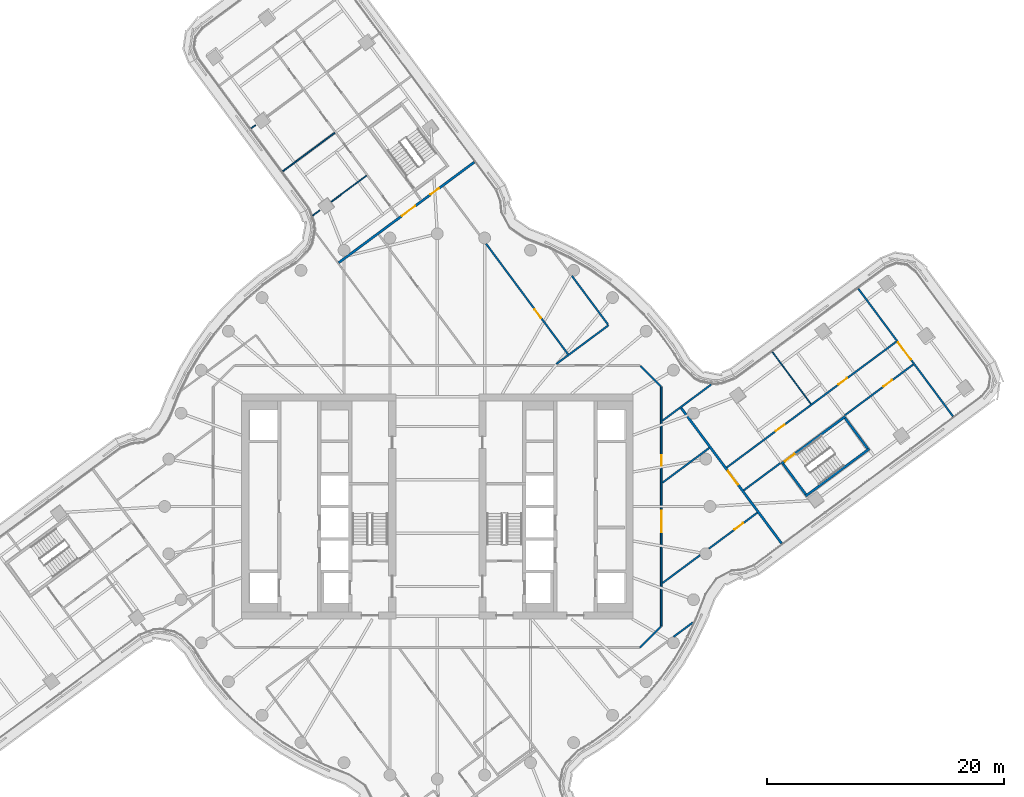
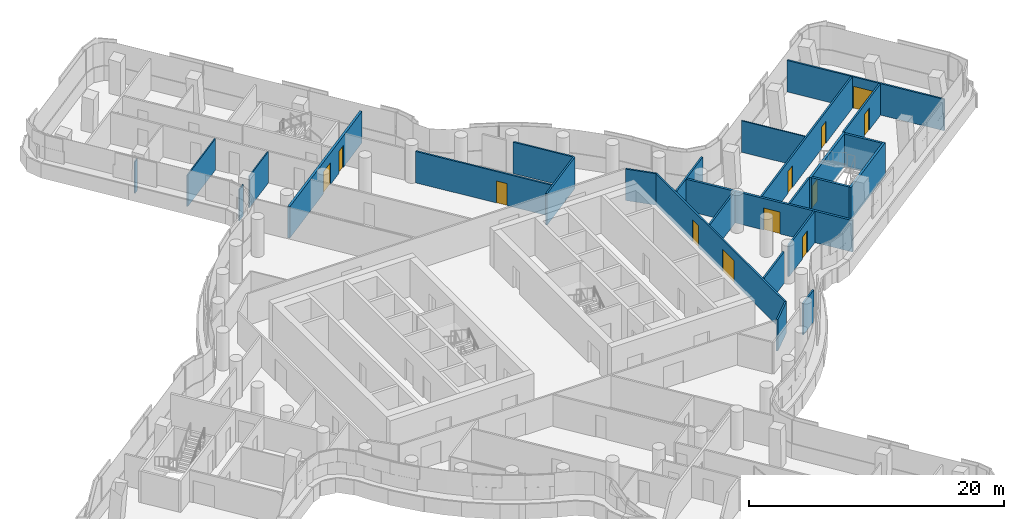
# One storey, part 23 of 32: 26 walls, 12 doors, 12 openings.
"""IFC4 building model written with IfcOpenShell, lengths in metres."""

from ifc_helpers import new_model, si_unit, direction, frame, frame_2d, origin, place, context, subcontext, project, spatial, polyline, rectangle, outline, extrude, material, layer, layer_set, type_object, element, fill, save


model = new_model("IFC4")

# Units and contexts
model_context = context("Model", 3, precision=1e-05, world=origin(), true_north=direction((0.0, 1.0)))
body_context = subcontext(model_context, "Body", "Model", "MODEL_VIEW")
ifc_project = project(units=[si_unit("LENGTHUNIT", "METRE"), si_unit("AREAUNIT", "SQUARE_METRE"), si_unit("VOLUMEUNIT", "CUBIC_METRE"), si_unit("PLANEANGLEUNIT", "RADIAN"), si_unit("MASSUNIT", "GRAM", prefix="KILO")], contexts=[model_context])

# Site, building, storey
site_placement = place(None, origin())
site = spatial("IfcSite", under=ifc_project, at=site_placement, CompositionType="ELEMENT")
building_placement = place(site_placement, origin())
building = spatial("IfcBuilding", under=site, at=building_placement, Name="Tamarind Cross Interchange Tower", CompositionType="ELEMENT")
storey_placement = place(building_placement, frame((0.0, 0.0, 166.75)))
storey = spatial("IfcBuildingStorey", under=building, at=storey_placement, Name="L41", CompositionType="ELEMENT", Elevation=166.75)

# Walls
ifc_material_1 = material(Name="Gypsum board partition on steel studs", Category="steel")
ifc_layer_1 = layer(ifc_material_1, 0.10009765625)
ifc_layer_set_1 = layer_set([ifc_layer_1], Name="Gypsum board partition on steel studs")
wall_type_1 = type_object("IfcWallType", Name="Partition 100 mm EI 90", PredefinedType="PARTITIONING", material=ifc_layer_set_1)
wall_1_placement = place(storey_placement, frame((28.271484375, 13.029296875, 0.0), z_axis=(0.0, 0.0, 1.0), x_axis=(0.595815250958, -0.803121526748, 0.0)))
element("IfcWall", 1, at=wall_1_placement, inside=storey, type_object=wall_type_1, Name="Partition L41-029", PredefinedType="PARTITIONING", context=body_context, shape_type="SweptSolid", body=[
    extrude(rectangle(XDim=5.45263671875, YDim=0.10009765625, at=frame_2d((2.726318359375, 0.0))), origin(), (0.0, 0.0, 1.0), 3.010009765625),
])
wall_2_placement = place(storey_placement, frame((-15.701904296875, 31.892822265625, 0.0), z_axis=(0.0, 0.0, 1.0), x_axis=(0.803197071816, 0.595713407459, 0.0)))
element("IfcWall", 2, at=wall_2_placement, inside=storey, type_object=wall_type_1, Name="Partition L41-044", PredefinedType="PARTITIONING", context=body_context, shape_type="SweptSolid", body=[
    extrude(rectangle(XDim=0.45654296875, YDim=0.10009765625, at=frame_2d((0.228271484375, 0.0))), origin(), (0.0, 0.0, 1.0), 3.010009765625),
])
wall_3_placement = place(storey_placement, frame((-13.029296875, 28.271484375, 0.0), z_axis=(0.0, 0.0, 1.0), x_axis=(0.803121526748, 0.595815250958, 0.0)))
element("IfcWall", 3, at=wall_3_placement, inside=storey, type_object=wall_type_1, Name="Partition L41-049", PredefinedType="PARTITIONING", context=body_context, shape_type="SweptSolid", body=[
    extrude(rectangle(XDim=5.45263671875, YDim=0.10009765625, at=frame_2d((2.726318359375, 0.0))), origin(), (0.0, 0.0, 1.0), 3.010009765625),
])
wall_4_placement = place(storey_placement, frame((-10.507080078125, 24.54052734375, 0.0), z_axis=(0.0, 0.0, 1.0), x_axis=(0.802971840977, 0.596016965025, 0.0)))
element("IfcWall", 4, at=wall_4_placement, inside=storey, type_object=wall_type_1, Name="Partition L41-051", PredefinedType="PARTITIONING", context=body_context, shape_type="SweptSolid", body=[
    extrude(rectangle(XDim=0.746826171875, YDim=0.10009765625, at=frame_2d((0.37353515625, 0.0))), origin(), (0.0, 0.0, 1.0), 3.010009765625),
])
wall_5_placement = place(storey_placement, frame((-8.950439453125, 25.695068359375, 0.0), z_axis=(0.0, 0.0, 1.0), x_axis=(0.803185337767, 0.595729228086, 0.0)))
element("IfcWall", 5, at=wall_5_placement, inside=storey, type_object=wall_type_1, Name="Partition L41-052", PredefinedType="PARTITIONING", context=body_context, shape_type="SweptSolid", body=[
    extrude(rectangle(XDim=3.711669921875, YDim=0.10009765625, at=frame_2d((1.85595703125, 0.0))), origin(), (0.0, 0.0, 1.0), 3.010009765625),
])

# Wall, opening, door
ifc_layer_2 = layer(ifc_material_1, 0.14990234375)
ifc_layer_set_2 = layer_set([ifc_layer_2], Name="Gypsum board partition on steel studs")
wall_type_2 = type_object("IfcWallType", Name="Partition 150 mm EI 120", PredefinedType="PARTITIONING", material=ifc_layer_set_2)
wall_6_placement = place(storey_placement, frame((4.107177734375, 22.1708984375, 0.0), z_axis=(0.0, 0.0, 1.0), x_axis=(0.59578611064, -0.803143144382, 0.0)))
wall_6 = element("IfcWall", 6, at=wall_6_placement, inside=storey, type_object=wall_type_2, Name="Partition L41-019", PredefinedType="PARTITIONING", context=body_context, shape_type="SweptSolid", body=[
    extrude(rectangle(XDim=11.6103515625, YDim=0.14990234375, at=frame_2d((5.80517578125, 0.0))), origin(), (0.0, 0.0, 1.0), 3.010009765625),
])
opening_1_placement = place(wall_6_placement, frame((6.89990234375, 0.0, 0.0)))
opening_1 = element("IfcOpeningElement", 7, at=opening_1_placement, cuts=wall_6, Name="Opening D14", PredefinedType="OPENING", context=body_context, shape_type="SweptSolid", body=[
    extrude(rectangle(XDim=0.89990234375, YDim=2.10009765625, at=frame_2d((0.449951171875, 1.050048828125))), frame((0.0, 0.0849609375, 0.0), z_axis=(0.0, -1.0, 0.0), x_axis=(1.0, 0.0, 0.0)), (0.0, 0.0, 1.0), 0.169921875),
])
ifc_material_2 = material(Name="Fire-resisting door set")
door_type_1 = type_object("IfcDoorType", Name="Interior door 900 x 2100 FD60S", OperationType="SINGLE_SWING_LEFT", PredefinedType="DOOR", material=ifc_material_2)
door_1_placement = place(opening_1_placement, origin())
door_1 = element("IfcDoor", 8, at=door_1_placement, inside=storey, type_object=door_type_1, Name="Door D14", OperationType="SINGLE_SWING_LEFT", OverallHeight=2.10009765625, OverallWidth=0.89990234375, PredefinedType="DOOR", context=body_context, shape_type="SweptSolid", body=[
    extrude(rectangle(XDim=0.89990234375, YDim=2.10009765625, at=frame_2d((0.449951171875, 1.050048828125))), frame((0.0, 0.02490234375, 0.0), z_axis=(0.0, -1.0, 0.0), x_axis=(1.0, 0.0, 0.0)), (0.0, 0.0, 1.0), 0.050048828125),
])
fill(opening_1, door_1)

# Wall
wall_7_placement = place(storey_placement, frame((11.356689453125, 19.447021484375, 0.0), z_axis=(0.0, 0.0, 1.0), x_axis=(0.595809139837, -0.803126060396, 0.0)))
element("IfcWall", 9, at=wall_7_placement, inside=storey, type_object=wall_type_2, Name="Partition L41-026", PredefinedType="PARTITIONING", context=body_context, shape_type="SweptSolid", body=[
    extrude(rectangle(XDim=5.1083984375, YDim=0.14990234375, at=frame_2d((2.55419921875, 0.0))), origin(), (0.0, 0.0, 1.0), 3.010009765625),
])

# Wall, opening, door
wall_8_placement = place(storey_placement, frame((35.513671875, 18.374267578125, 0.0), z_axis=(0.0, 0.0, 1.0), x_axis=(0.595769242987, -0.803155656838, 0.0)))
wall_8 = element("IfcWall", 10, at=wall_8_placement, inside=storey, type_object=wall_type_2, Name="Partition L41-030", PredefinedType="PARTITIONING", context=body_context, shape_type="SweptSolid", body=[
    extrude(rectangle(XDim=13.405029296875, YDim=0.14990234375, at=frame_2d((6.70263671875, 0.0))), origin(), (0.0, 0.0, 1.0), 3.010009765625),
])
opening_2_placement = place(wall_8_placement, frame((5.656005859375, 0.0, 0.0)))
opening_2 = element("IfcOpeningElement", 11, at=opening_2_placement, cuts=wall_8, Name="Opening D21", PredefinedType="OPENING", context=body_context, shape_type="SweptSolid", body=[
    extrude(rectangle(XDim=1.800048828125, YDim=2.10009765625, at=frame_2d((0.89990234375, 1.050048828125))), frame((0.0, 0.0849609375, 0.0), z_axis=(0.0, -1.0, 0.0), x_axis=(1.0, 0.0, 0.0)), (0.0, 0.0, 1.0), 0.169921875),
])
door_type_2 = type_object("IfcDoorType", Name="Interior door 1800 x 2100 FD60S", OperationType="DOUBLE_DOOR_SINGLE_SWING", PredefinedType="DOOR", material=ifc_material_2)
door_2_placement = place(opening_2_placement, origin())
door_2 = element("IfcDoor", 12, at=door_2_placement, inside=storey, type_object=door_type_2, Name="Door D21", OperationType="DOUBLE_DOOR_SINGLE_SWING", OverallHeight=2.10009765625, OverallWidth=1.800048828125, PredefinedType="DOOR", context=body_context, shape_type="SweptSolid", body=[
    extrude(rectangle(XDim=1.800048828125, YDim=2.10009765625, at=frame_2d((0.89990234375, 1.050048828125))), frame((0.0, 0.02490234375, 0.0), z_axis=(0.0, -1.0, 0.0), x_axis=(1.0, 0.0, 0.0)), (0.0, 0.0, 1.0), 0.050048828125),
])
fill(opening_2, door_2)

# Walls
wall_9_placement = place(storey_placement, frame((17.12841796875, 11.87158203125, 0.0), z_axis=(0.0, 0.0, 1.0), x_axis=(0.707106781187, -0.707106781187, 0.0)))
element("IfcWall", 13, at=wall_9_placement, inside=storey, type_object=wall_type_2, Name="Partition L41-032", PredefinedType="PARTITIONING", context=body_context, shape_type="SweptSolid", body=[
    extrude(rectangle(XDim=2.465087890625, YDim=0.14990234375, at=frame_2d((1.232421875, 0.0))), origin(), (0.0, 0.0, 1.0), 3.010009765625),
])
wall_10_placement = place(storey_placement, frame((10.03955078125, 12.01611328125, 0.0), z_axis=(0.0, 0.0, 1.0), x_axis=(0.803166728219, 0.595754317385, 0.0)))
element("IfcWall", 14, at=wall_10_placement, inside=storey, type_object=wall_type_2, Name="Partition L41-065", PredefinedType="PARTITIONING", context=body_context, shape_type="SweptSolid", body=[
    extrude(rectangle(XDim=5.485107421875, YDim=0.14990234375, at=frame_2d((2.74267578125, 0.0))), origin(), (0.0, 0.0, 1.0), 3.010009765625),
])
wall_11_placement = place(storey_placement, frame((19.935302734375, -10.994384765625, 0.0), z_axis=(0.0, 0.0, 1.0), x_axis=(0.803148127908, 0.595779392593, 0.0)))
element("IfcWall", 15, at=wall_11_placement, inside=storey, type_object=wall_type_2, Name="Partition L41-067", PredefinedType="PARTITIONING", context=body_context, shape_type="SweptSolid", body=[
    extrude(rectangle(XDim=2.031005859375, YDim=0.14990234375, at=frame_2d((1.015625, 0.0))), origin(), (0.0, 0.0, 1.0), 3.010009765625),
])
wall_12_placement = place(storey_placement, frame((19.00048828125, -6.45849609375, 0.0), z_axis=(0.0, 0.0, 1.0), x_axis=(0.803180127116, 0.595736253225, 0.0)))
element("IfcWall", 16, at=wall_12_placement, inside=storey, type_object=wall_type_2, Name="Partition L41-068", PredefinedType="PARTITIONING", context=body_context, shape_type="SweptSolid", body=[
    extrude(rectangle(XDim=3.947265625, YDim=0.14990234375, at=frame_2d((1.9736328125, 0.0))), origin(), (0.0, 0.0, 1.0), 3.010009765625),
])

# Wall, opening, door
wall_13_placement = place(storey_placement, frame((22.9111328125, -3.557861328125, 0.0), z_axis=(0.0, 0.0, 1.0), x_axis=(0.803172828939, 0.595746092605, 0.0)))
wall_13 = element("IfcWall", 17, at=wall_13_placement, inside=storey, type_object=wall_type_2, Name="Partition L41-069", PredefinedType="PARTITIONING", context=body_context, shape_type="SweptSolid", body=[
    extrude(rectangle(XDim=5.088134765625, YDim=0.14990234375, at=frame_2d((2.5439453125, 0.0))), origin(), (0.0, 0.0, 1.0), 3.010009765625),
])
opening_3_placement = place(wall_13_placement, frame((2.699951171875, 0.0, 0.0)))
opening_3 = element("IfcOpeningElement", 18, at=opening_3_placement, cuts=wall_13, Name="Opening D38", PredefinedType="OPENING", context=body_context, shape_type="SweptSolid", body=[
    extrude(rectangle(XDim=0.89990234375, YDim=2.10009765625, at=frame_2d((0.449951171875, 1.050048828125))), frame((0.0, 0.0849609375, 0.0), z_axis=(0.0, -1.0, 0.0), x_axis=(1.0, 0.0, 0.0)), (0.0, 0.0, 1.0), 0.169921875),
])
door_3_placement = place(opening_3_placement, frame((0.89990234375, 0.0, 0.0), z_axis=(0.0, 0.0, 1.0), x_axis=(-1.0, 0.0, 0.0)))
door_3 = element("IfcDoor", 19, at=door_3_placement, inside=storey, type_object=door_type_1, Name="Door D38", OperationType="SINGLE_SWING_RIGHT", OverallHeight=2.10009765625, OverallWidth=0.89990234375, PredefinedType="DOOR", context=body_context, shape_type="SweptSolid", body=[
    extrude(rectangle(XDim=0.89990234375, YDim=2.10009765625, at=frame_2d((0.449951171875, 1.050048828125))), frame((0.0, 0.02490234375, 0.0), z_axis=(0.0, -1.0, 0.0), x_axis=(1.0, 0.0, 0.0)), (0.0, 0.0, 1.0), 0.050048828125),
])
fill(opening_3, door_3)

# Walls
wall_14_placement = place(storey_placement, frame((19.00048828125, 2.008544921875, 0.0), z_axis=(0.0, 0.0, 1.0), x_axis=(0.803137919157, 0.595793154385, 0.0)))
element("IfcWall", 20, at=wall_14_placement, inside=storey, type_object=wall_type_2, Name="Partition L41-070", PredefinedType="PARTITIONING", context=body_context, shape_type="SweptSolid", body=[
    extrude(rectangle(XDim=4.912353515625, YDim=0.14990234375, at=frame_2d((2.4560546875, 0.0))), origin(), (0.0, 0.0, 1.0), 3.010009765625),
])
wall_15_placement = place(storey_placement, frame((19.00048828125, 7.237548828125, 0.0), z_axis=(0.0, 0.0, 1.0), x_axis=(0.803064814697, 0.595891687638, 0.0)))
element("IfcWall", 21, at=wall_15_placement, inside=storey, type_object=wall_type_2, Name="Partition L41-071", PredefinedType="PARTITIONING", context=body_context, shape_type="SweptSolid", body=[
    extrude(rectangle(XDim=5.106201171875, YDim=0.14990234375, at=frame_2d((2.55322265625, 0.0))), origin(), (0.0, 0.0, 1.0), 3.010009765625),
])

# Wall, openings, doors
wall_16_placement = place(storey_placement, frame((24.417236328125, 3.28759765625, 0.0), z_axis=(0.0, 0.0, 1.0), x_axis=(0.803158507109, 0.595765400521, 0.0)))
wall_16 = element("IfcWall", 22, at=wall_16_placement, inside=storey, type_object=wall_type_2, Name="Partition L41-072", PredefinedType="PARTITIONING", context=body_context, shape_type="SweptSolid", body=[
    extrude(rectangle(XDim=17.8203125, YDim=0.14990234375, at=frame_2d((8.91015625, 0.0))), origin(), (0.0, 0.0, 1.0), 3.010009765625),
])
opening_4_placement = place(wall_16_placement, frame((5.14990234375, 0.0, 0.0)))
opening_4 = element("IfcOpeningElement", 23, at=opening_4_placement, cuts=wall_16, Name="Opening D39", PredefinedType="OPENING", context=body_context, shape_type="SweptSolid", body=[
    extrude(rectangle(XDim=0.89990234375, YDim=2.10009765625, at=frame_2d((0.449951171875, 1.050048828125))), frame((0.0, 0.0849609375, 0.0), z_axis=(0.0, -1.0, 0.0), x_axis=(1.0, 0.0, 0.0)), (0.0, 0.0, 1.0), 0.169921875),
])
opening_5_placement = place(wall_16_placement, frame((11.749755859375, 0.0, 0.0)))
opening_5 = element("IfcOpeningElement", 24, at=opening_5_placement, cuts=wall_16, Name="Opening D40", PredefinedType="OPENING", context=body_context, shape_type="SweptSolid", body=[
    extrude(rectangle(XDim=0.89990234375, YDim=2.10009765625, at=frame_2d((0.449951171875, 1.050048828125))), frame((0.0, 0.0849609375, 0.0), z_axis=(0.0, -1.0, 0.0), x_axis=(1.0, 0.0, 0.0)), (0.0, 0.0, 1.0), 0.169921875),
])
door_4_placement = place(opening_4_placement, origin())
door_4 = element("IfcDoor", 25, at=door_4_placement, inside=storey, type_object=door_type_1, Name="Door D39", OperationType="SINGLE_SWING_RIGHT", OverallHeight=2.10009765625, OverallWidth=0.89990234375, PredefinedType="DOOR", context=body_context, shape_type="SweptSolid", body=[
    extrude(rectangle(XDim=0.89990234375, YDim=2.10009765625, at=frame_2d((0.449951171875, 1.050048828125))), frame((0.0, 0.02490234375, 0.0), z_axis=(0.0, -1.0, 0.0), x_axis=(1.0, 0.0, 0.0)), (0.0, 0.0, 1.0), 0.050048828125),
])
fill(opening_4, door_4)
door_5_placement = place(opening_5_placement, origin())
door_5 = element("IfcDoor", 26, at=door_5_placement, inside=storey, type_object=door_type_1, Name="Door D40", OperationType="SINGLE_SWING_LEFT", OverallHeight=2.10009765625, OverallWidth=0.89990234375, PredefinedType="DOOR", context=body_context, shape_type="SweptSolid", body=[
    extrude(rectangle(XDim=0.89990234375, YDim=2.10009765625, at=frame_2d((0.449951171875, 1.050048828125))), frame((0.0, 0.02490234375, 0.0), z_axis=(0.0, -1.0, 0.0), x_axis=(1.0, 0.0, 0.0)), (0.0, 0.0, 1.0), 0.050048828125),
])
fill(opening_5, door_5)

# Wall
wall_17_placement = place(storey_placement, frame((25.847412109375, 1.359619140625, 0.0), z_axis=(0.0, 0.0, 1.0), x_axis=(0.803056041742, 0.595903510496, 0.0)))
element("IfcWall", 27, at=wall_17_placement, inside=storey, type_object=wall_type_2, Name="Partition L41-073", PredefinedType="PARTITIONING", context=body_context, shape_type="SweptSolid", body=[
    extrude(rectangle(XDim=3.85986328125, YDim=0.14990234375, at=frame_2d((1.929931640625, 0.0))), origin(), (0.0, 0.0, 1.0), 3.010009765625),
])

# Wall, opening, door
wall_18_placement = place(storey_placement, frame((34.39208984375, 7.7001953125, 0.0), z_axis=(0.0, 0.0, 1.0), x_axis=(0.803082281609, 0.595868147299, 0.0)))
wall_18 = element("IfcWall", 28, at=wall_18_placement, inside=storey, type_object=wall_type_2, Name="Partition L41-074", PredefinedType="PARTITIONING", context=body_context, shape_type="SweptSolid", body=[
    extrude(rectangle(XDim=7.179931640625, YDim=0.14990234375, at=frame_2d((3.58984375, 0.0))), origin(), (0.0, 0.0, 1.0), 3.010009765625),
])
opening_6_placement = place(wall_18_placement, frame((4.050048828125, 0.0, 0.0)))
opening_6 = element("IfcOpeningElement", 29, at=opening_6_placement, cuts=wall_18, Name="Opening D41", PredefinedType="OPENING", context=body_context, shape_type="SweptSolid", body=[
    extrude(rectangle(XDim=0.89990234375, YDim=2.10009765625, at=frame_2d((0.449951171875, 1.050048828125))), frame((0.0, 0.0849609375, 0.0), z_axis=(0.0, -1.0, 0.0), x_axis=(1.0, 0.0, 0.0)), (0.0, 0.0, 1.0), 0.169921875),
])
door_6_placement = place(opening_6_placement, frame((0.89990234375, 0.0, 0.0), z_axis=(0.0, 0.0, 1.0), x_axis=(-1.0, 0.0, 0.0)))
door_6 = element("IfcDoor", 30, at=door_6_placement, inside=storey, type_object=door_type_1, Name="Door D41", OperationType="SINGLE_SWING_RIGHT", OverallHeight=2.10009765625, OverallWidth=0.89990234375, PredefinedType="DOOR", context=body_context, shape_type="SweptSolid", body=[
    extrude(rectangle(XDim=0.89990234375, YDim=2.10009765625, at=frame_2d((0.449951171875, 1.050048828125))), frame((0.0, 0.02490234375, 0.0), z_axis=(0.0, -1.0, 0.0), x_axis=(1.0, 0.0, 0.0)), (0.0, 0.0, 1.0), 0.050048828125),
])
fill(opening_6, door_6)

# Wall
wall_19_placement = place(storey_placement, frame((17.10009765625, -11.89990234375, 0.0), z_axis=(0.0, 0.0, 1.0), x_axis=(0.707106781187, 0.707106781187, 0.0)))
element("IfcWall", 31, at=wall_19_placement, inside=storey, type_object=wall_type_2, Name="Partition L41-076", PredefinedType="PARTITIONING", context=body_context, shape_type="SweptSolid", body=[
    extrude(rectangle(XDim=2.50537109375, YDim=0.14990234375, at=frame_2d((1.252685546875, 0.0))), origin(), (0.0, 0.0, 1.0), 3.010009765625),
])

# Wall, openings, doors
wall_20_placement = place(storey_placement, frame((18.89990234375, -10.10009765625, 0.0), z_axis=(0.0, 0.0, 1.0), x_axis=(0.0, 1.0, 0.0)))
wall_20 = element("IfcWall", 32, at=wall_20_placement, inside=storey, type_object=wall_type_2, Name="Partition L41-078", PredefinedType="PARTITIONING", context=body_context, shape_type="SweptSolid", body=[
    extrude(rectangle(XDim=20.2001953125, YDim=0.14990234375, at=frame_2d((10.10009765625, 0.0))), origin(), (0.0, 0.0, 1.0), 3.010009765625),
])
opening_7_placement = place(wall_20_placement, frame((7.9169921875, 0.0, 0.0)))
opening_7 = element("IfcOpeningElement", 33, at=opening_7_placement, cuts=wall_20, Name="Opening D44", PredefinedType="OPENING", context=body_context, shape_type="SweptSolid", body=[
    extrude(rectangle(XDim=1.800048828125, YDim=2.10009765625, at=frame_2d((0.89990234375, 1.050048828125))), frame((0.0, 0.0849609375, 0.0), z_axis=(0.0, -1.0, 0.0), x_axis=(1.0, 0.0, 0.0)), (0.0, 0.0, 1.0), 0.169921875),
])
opening_8_placement = place(wall_20_placement, frame((13.533935546875, 0.0, 0.0)))
opening_8 = element("IfcOpeningElement", 34, at=opening_8_placement, cuts=wall_20, Name="Opening D45", PredefinedType="OPENING", context=body_context, shape_type="SweptSolid", body=[
    extrude(rectangle(XDim=0.89990234375, YDim=2.10009765625, at=frame_2d((0.449951171875, 1.050048828125))), frame((0.0, 0.0849609375, 0.0), z_axis=(0.0, -1.0, 0.0), x_axis=(1.0, 0.0, 0.0)), (0.0, 0.0, 1.0), 0.169921875),
])
door_7_placement = place(opening_7_placement, origin())
door_7 = element("IfcDoor", 35, at=door_7_placement, inside=storey, type_object=door_type_2, Name="Door D44", OperationType="DOUBLE_DOOR_SINGLE_SWING", OverallHeight=2.10009765625, OverallWidth=1.800048828125, PredefinedType="DOOR", context=body_context, shape_type="SweptSolid", body=[
    extrude(rectangle(XDim=1.800048828125, YDim=2.10009765625, at=frame_2d((0.89990234375, 1.050048828125))), frame((0.0, 0.02490234375, 0.0), z_axis=(0.0, -1.0, 0.0), x_axis=(1.0, 0.0, 0.0)), (0.0, 0.0, 1.0), 0.050048828125),
])
fill(opening_7, door_7)
door_8_placement = place(opening_8_placement, frame((0.89990234375, 0.0, 0.0), z_axis=(0.0, 0.0, 1.0), x_axis=(-1.0, 0.0, 0.0)))
door_8 = element("IfcDoor", 36, at=door_8_placement, inside=storey, type_object=door_type_1, Name="Door D45", OperationType="SINGLE_SWING_RIGHT", OverallHeight=2.10009765625, OverallWidth=0.89990234375, PredefinedType="DOOR", context=body_context, shape_type="SweptSolid", body=[
    extrude(rectangle(XDim=0.89990234375, YDim=2.10009765625, at=frame_2d((0.449951171875, 1.050048828125))), frame((0.0, 0.02490234375, 0.0), z_axis=(0.0, -1.0, 0.0), x_axis=(1.0, 0.0, 0.0)), (0.0, 0.0, 1.0), 0.050048828125),
])
fill(opening_8, door_8)

# Wall, opening, door
ifc_layer_3 = layer(ifc_material_1, 0.199951171875)
ifc_layer_set_3 = layer_set([ifc_layer_3], Name="Gypsum board partition on steel studs")
wall_type_3 = type_object("IfcWallType", Name="Partition 200 mm EI 180", PredefinedType="PARTITIONING", material=ifc_layer_set_3)
wall_21_placement = place(storey_placement, frame((20.57177734375, 8.3037109375, 0.0), z_axis=(0.0, 0.0, 1.0), x_axis=(0.595763686941, -0.803159778202, 0.0)))
wall_21 = element("IfcWall", 37, at=wall_21_placement, inside=storey, type_object=wall_type_3, Name="Partition L41-028", PredefinedType="PARTITIONING", context=body_context, shape_type="SweptSolid", body=[
    extrude(rectangle(XDim=14.218994140625, YDim=0.199951171875, at=frame_2d((7.109375, 0.0))), origin(), (0.0, 0.0, 1.0), 3.010009765625),
])
opening_9_placement = place(wall_21_placement, frame((6.619873046875, 0.0, 0.0)))
opening_9 = element("IfcOpeningElement", 38, at=opening_9_placement, cuts=wall_21, Name="Opening D20", PredefinedType="OPENING", context=body_context, shape_type="SweptSolid", body=[
    extrude(rectangle(XDim=1.39990234375, YDim=2.10009765625, at=frame_2d((0.699951171875, 1.050048828125))), frame((0.0, 0.10986328125, 0.0), z_axis=(0.0, -1.0, 0.0), x_axis=(1.0, 0.0, 0.0)), (0.0, 0.0, 1.0), 0.219970703125),
])
door_type_3 = type_object("IfcDoorType", Name="Interior door 1400 x 2100 FD120S", OperationType="DOUBLE_DOOR_SINGLE_SWING", PredefinedType="DOOR", material=ifc_material_2)
door_9_placement = place(opening_9_placement, frame((1.39990234375, 0.0, 0.0), z_axis=(0.0, 0.0, 1.0), x_axis=(-1.0, 0.0, 0.0)))
door_9 = element("IfcDoor", 39, at=door_9_placement, inside=storey, type_object=door_type_3, Name="Door D20", OperationType="DOUBLE_DOOR_SINGLE_SWING", OverallHeight=2.10009765625, OverallWidth=1.39990234375, PredefinedType="DOOR", context=body_context, shape_type="SweptSolid", body=[
    extrude(rectangle(XDim=1.39990234375, YDim=2.10009765625, at=frame_2d((0.699951171875, 1.050048828125))), frame((0.0, 0.02490234375, 0.0), z_axis=(0.0, -1.0, 0.0), x_axis=(1.0, 0.0, 0.0)), (0.0, 0.0, 1.0), 0.050048828125),
])
fill(opening_9, door_9)

# Wall, openings, doors
wall_22_placement = place(storey_placement, frame((-8.31982421875, 20.559814453125, 0.0), z_axis=(0.0, 0.0, 1.0), x_axis=(0.803159426549, 0.595764161012, 0.0)))
wall_22 = element("IfcWall", 40, at=wall_22_placement, inside=storey, type_object=wall_type_3, Name="Partition L41-053", PredefinedType="PARTITIONING", context=body_context, shape_type="SweptSolid", body=[
    extrude(rectangle(XDim=14.239013671875, YDim=0.199951171875, at=frame_2d((7.11962890625, 0.0))), origin(), (0.0, 0.0, 1.0), 3.010009765625),
])
opening_10_placement = place(wall_22_placement, frame((6.639892578125, 0.0, 0.0)))
opening_10 = element("IfcOpeningElement", 41, at=opening_10_placement, cuts=wall_22, Name="Opening D33", PredefinedType="OPENING", context=body_context, shape_type="SweptSolid", body=[
    extrude(rectangle(XDim=1.39990234375, YDim=2.10009765625, at=frame_2d((0.699951171875, 1.050048828125))), frame((0.0, 0.10986328125, 0.0), z_axis=(0.0, -1.0, 0.0), x_axis=(1.0, 0.0, 0.0)), (0.0, 0.0, 1.0), 0.219970703125),
])
opening_11_placement = place(wall_22_placement, frame((9.640380859375, 0.0, 0.0)))
opening_11 = element("IfcOpeningElement", 42, at=opening_11_placement, cuts=wall_22, Name="Opening D34", PredefinedType="OPENING", context=body_context, shape_type="SweptSolid", body=[
    extrude(rectangle(XDim=0.89990234375, YDim=2.10009765625, at=frame_2d((0.449951171875, 1.050048828125))), frame((0.0, 0.10986328125, 0.0), z_axis=(0.0, -1.0, 0.0), x_axis=(1.0, 0.0, 0.0)), (0.0, 0.0, 1.0), 0.219970703125),
])
door_10_placement = place(opening_10_placement, frame((1.39990234375, 0.0, 0.0), z_axis=(0.0, 0.0, 1.0), x_axis=(-1.0, 0.0, 0.0)))
door_10 = element("IfcDoor", 43, at=door_10_placement, inside=storey, type_object=door_type_3, Name="Door D33", OperationType="DOUBLE_DOOR_SINGLE_SWING", OverallHeight=2.10009765625, OverallWidth=1.39990234375, PredefinedType="DOOR", context=body_context, shape_type="SweptSolid", body=[
    extrude(rectangle(XDim=1.39990234375, YDim=2.10009765625, at=frame_2d((0.699951171875, 1.050048828125))), frame((0.0, 0.02490234375, 0.0), z_axis=(0.0, -1.0, 0.0), x_axis=(1.0, 0.0, 0.0)), (0.0, 0.0, 1.0), 0.050048828125),
])
fill(opening_10, door_10)
door_type_4 = type_object("IfcDoorType", Name="Interior door 900 x 2100 FD120S", OperationType="SINGLE_SWING_LEFT", PredefinedType="DOOR", material=ifc_material_2)
door_11_placement = place(opening_11_placement, origin())
door_11 = element("IfcDoor", 44, at=door_11_placement, inside=storey, type_object=door_type_4, Name="Door D34", OperationType="SINGLE_SWING_LEFT", OverallHeight=2.10009765625, OverallWidth=0.89990234375, PredefinedType="DOOR", context=body_context, shape_type="SweptSolid", body=[
    extrude(rectangle(XDim=0.89990234375, YDim=2.10009765625, at=frame_2d((0.449951171875, 1.050048828125))), frame((0.0, 0.02490234375, 0.0), z_axis=(0.0, -1.0, 0.0), x_axis=(1.0, 0.0, 0.0)), (0.0, 0.0, 1.0), 0.050048828125),
])
fill(opening_11, door_11)

# Wall, opening, door
ifc_material_3 = material(Name="Concrete C40", Category="concrete")
ifc_layer_4 = layer(ifc_material_3, 0.199951171875)
ifc_layer_set_4 = layer_set([ifc_layer_4], Name="Concrete C40")
wall_type_4 = type_object("IfcWallType", Name="Stair shaft wall 200 mm Concrete C40", PredefinedType="SHEAR", material=ifc_layer_set_4)
wall_23_placement = place(storey_placement, frame((29.0390625, 3.60302734375, -0.139892578125), z_axis=(0.0, 0.0, 1.0), x_axis=(0.803150335783, 0.595776416227, 0.0)))
wall_23 = element("IfcWall", 45, at=wall_23_placement, inside=storey, type_object=wall_type_4, Name="Core wall CWL-L41-ST3-H", PredefinedType="SHEAR", context=body_context, shape_type="SweptSolid", body=[
    extrude(rectangle(XDim=6.699951171875, YDim=0.199951171875, at=frame_2d((3.35009765625, 0.0))), origin(), (0.0, 0.0, 1.0), 3.14990234375),
])
opening_12_placement = place(wall_23_placement, frame((0.35009765625, 0.0, 0.0)))
opening_12 = element("IfcOpeningElement", 46, at=opening_12_placement, cuts=wall_23, Name="Opening ST3L41", PredefinedType="OPENING", context=body_context, shape_type="SweptSolid", body=[
    extrude(rectangle(XDim=1.0, YDim=2.10009765625, at=frame_2d((0.5, 1.050048828125))), frame((0.0, 0.10986328125, 0.0), z_axis=(0.0, -1.0, 0.0), x_axis=(1.0, 0.0, 0.0)), (0.0, 0.0, 1.0), 0.219970703125),
])
ifc_material_4 = material(Name="Steel, fire-resisting", Category="steel")
door_type_5 = type_object("IfcDoorType", Name="Core fire door 1000 x 2100 FD90", OperationType="SINGLE_SWING_LEFT", PredefinedType="DOOR", material=ifc_material_4)
door_12_placement = place(opening_12_placement, origin())
door_12 = element("IfcDoor", 47, at=door_12_placement, inside=storey, type_object=door_type_5, Name="L41 stair door ST3", OperationType="SINGLE_SWING_LEFT", OverallHeight=2.10009765625, OverallWidth=1.0, PredefinedType="DOOR", context=body_context, shape_type="SweptSolid", body=[
    extrude(rectangle(XDim=1.0, YDim=2.10009765625, at=frame_2d((0.5, 1.050048828125))), frame((0.0, 0.02490234375, 0.0), z_axis=(0.0, -1.0, 0.0), x_axis=(1.0, 0.0, 0.0)), (0.0, 0.0, 1.0), 0.050048828125),
])
fill(opening_12, door_12)

# Walls
wall_24_placement = place(storey_placement, frame((31.064697265625, 0.872314453125, -0.139892578125), z_axis=(0.0, 0.0, 1.0), x_axis=(0.803150335783, 0.595776416227, 0.0)))
element("IfcWall", 48, at=wall_24_placement, inside=storey, type_object=wall_type_4, Name="Core wall CWL-L41-ST3-C", PredefinedType="SHEAR", context=body_context, shape_type="SweptSolid", body=[
    extrude(rectangle(XDim=6.699951171875, YDim=0.199951171875, at=frame_2d((3.35009765625, 0.0))), origin(), (0.0, 0.0, 1.0), 3.14990234375),
])
wall_25_placement = place(storey_placement, frame((31.08544921875, 1.01220703125, -0.139892578125), z_axis=(0.0, 0.0, 1.0), x_axis=(-0.595780254432, 0.80314748859, 0.0)))
element("IfcWall", 49, at=wall_25_placement, inside=storey, type_object=wall_type_4, Name="Core wall CWL-L41-ST3-CE", PredefinedType="SHEAR", context=body_context, shape_type="SweptSolid", body=[
    extrude(rectangle(XDim=3.199951171875, YDim=0.199951171875, at=frame_2d((1.60009765625, 0.0))), origin(), (0.0, 0.0, 1.0), 3.14990234375),
])
wall_26_placement = place(storey_placement, frame((0.0, 0.0, -0.139892578125)))
element("IfcWall", 50, at=wall_26_placement, inside=storey, type_object=wall_type_4, Name="Core wall CWL-L41-ST3-CF", PredefinedType="SHEAR", context=body_context, shape_type="SweptSolid", body=[
    extrude(outline(polyline([(36.2255859375, 4.8251953125), (36.38623046875, 4.9443359375), (34.479736328125, 7.514404296875), (34.319091796875, 7.395263671875), (36.2255859375, 4.8251953125)])), origin(), (0.0, 0.0, 1.0), 3.14990234375),
])

save(model, "model.ifc")
